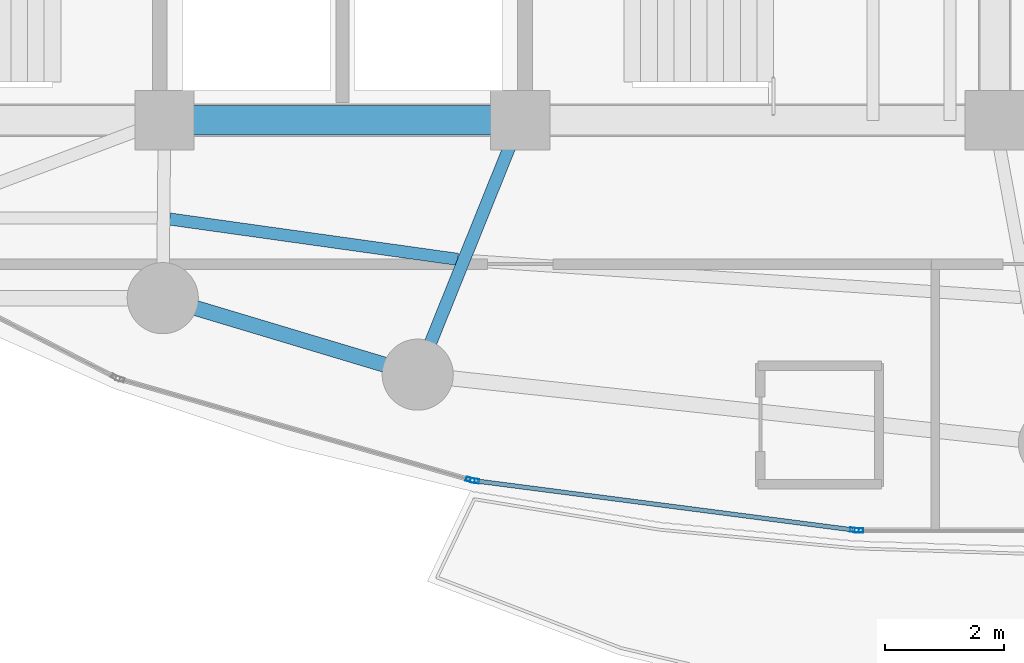
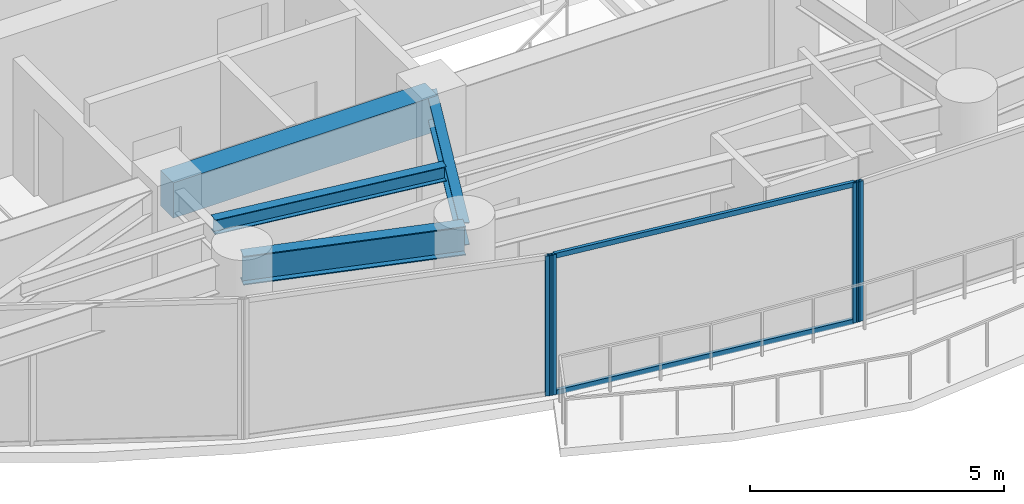
# One storey, part 5 of 31: 6 members, 4 beams, 3 elements without a shape of their own.
"""IFC4 building model written with IfcOpenShell, lengths in metres."""

from ifc_helpers import new_model, si_unit, direction, frame, origin, origin_2d, place, context, subcontext, project, spatial, rectangle, hollow_rectangle, i_section, extrude, material, layer, layer_set, material_profile, profile_set, type_object, element, aggregate, save


model = new_model("IFC4")

# Units and contexts
model_context = context("Model", 3, precision=1e-05, world=origin(), true_north=direction((0.0, 1.0)))
body_context = subcontext(model_context, "Body", "Model", "MODEL_VIEW")
ifc_project = project(units=[si_unit("LENGTHUNIT", "METRE"), si_unit("AREAUNIT", "SQUARE_METRE"), si_unit("VOLUMEUNIT", "CUBIC_METRE"), si_unit("PLANEANGLEUNIT", "RADIAN"), si_unit("MASSUNIT", "GRAM", prefix="KILO")], contexts=[model_context])

# Site, building, storey
site_placement = place(None, origin())
site = spatial("IfcSite", under=ifc_project, at=site_placement, CompositionType="ELEMENT")
building_placement = place(site_placement, origin())
building = spatial("IfcBuilding", under=site, at=building_placement, Name="Kazevale Care Tower and Concert Hall", CompositionType="ELEMENT")
storey_placement = place(building_placement, frame((0.0, 0.0, 117.0)))
storey = spatial("IfcBuildingStorey", under=building, at=storey_placement, Name="L30", CompositionType="ELEMENT", Elevation=117.0)

# Curtain wall, member
ifc_material_1 = material(Name="Aluminium 6063-T6 and Low-E Glass", Category="aluminium")
ifc_layer = layer(ifc_material_1, 0.179931640625)
ifc_layer_set = layer_set([ifc_layer], Name="Aluminium 6063-T6 and Low-E Glass")
curtain_wall_type = type_object("IfcCurtainWallType", Name="Sheltered Concave Balcony Curtain Wall CW-5", PredefinedType="NOTDEFINED", material=ifc_layer_set)
curtain_wall_1_placement = place(storey_placement, origin())
curtain_wall_1 = element("IfcCurtainWall", 1, at=curtain_wall_1_placement, inside=storey, type_object=curtain_wall_type, Name="cw:L30:f06", PredefinedType="NOTDEFINED")
ifc_material_2 = material(Name="Aluminium 6063-T6", Category="aluminium")
ifc_material_profile_1 = material_profile(ifc_material_2, hollow_rectangle(XDim=0.074951171875, YDim=0.14990234375, WallThickness=0.00390625, at=origin_2d()), Name="ALU75x150x4")
ifc_profile_set_1 = profile_set([ifc_material_profile_1], Name="Aluminium 6063-T6")
member_type_1 = type_object("IfcMemberType", Name="CW-5 Mullion ALU75x150x4", PredefinedType="MULLION", material=ifc_profile_set_1)
member_1_placement = place(storey_placement, frame((41.71240234375, 16.68408203125, 0.0), z_axis=(0.0, 0.0, 1.0), x_axis=(0.0, -1.0, 0.0)))
member_1 = element("IfcMember", 2, at=member_1_placement, type_object=member_type_1, Name="CW-5 mullion 2", PredefinedType="MULLION", context=body_context, shape_type="SweptSolid", body=[
    extrude(hollow_rectangle(XDim=0.074951171875, YDim=0.14990234375, WallThickness=0.00390625, at=origin_2d()), origin(), (0.0, 0.0, 1.0), 3.360107421875),
])
aggregate(curtain_wall_1, [member_1])

# Curtain wall, members
curtain_wall_2_placement = place(storey_placement, origin())
curtain_wall_2 = element("IfcCurtainWall", 3, at=curtain_wall_2_placement, inside=storey, type_object=curtain_wall_type, Name="cw:L30:f07", PredefinedType="NOTDEFINED")
member_2_placement = place(storey_placement, frame((41.6376953125, 16.688720703125, 0.0), z_axis=(0.0, 0.0, 1.0), x_axis=(-0.12868500567, -0.991685519364, 0.0)))
member_2 = element("IfcMember", 4, at=member_2_placement, type_object=member_type_1, Name="CW-5 mullion 1", PredefinedType="MULLION", context=body_context, shape_type="SweptSolid", body=[
    extrude(hollow_rectangle(XDim=0.074951171875, YDim=0.14990234375, WallThickness=0.00390625, at=origin_2d()), origin(), (0.0, 0.0, 1.0), 3.360107421875),
])
member_3_placement = place(storey_placement, frame((35.231201171875, 17.520263671875, 0.0), z_axis=(0.0, 0.0, 1.0), x_axis=(-0.12868500567, -0.991685519364, 0.0)))
member_3 = element("IfcMember", 5, at=member_3_placement, type_object=member_type_1, Name="CW-5 mullion 2", PredefinedType="MULLION", context=body_context, shape_type="SweptSolid", body=[
    extrude(hollow_rectangle(XDim=0.074951171875, YDim=0.14990234375, WallThickness=0.00390625, at=origin_2d()), origin(), (0.0, 0.0, 1.0), 3.360107421875),
])

# Curtain wall, member
curtain_wall_3_placement = place(storey_placement, origin())
curtain_wall_3 = element("IfcCurtainWall", 6, at=curtain_wall_3_placement, inside=storey, type_object=curtain_wall_type, Name="cw:L30:f08", PredefinedType="NOTDEFINED")
member_4_placement = place(storey_placement, frame((35.157958984375, 17.535400390625, 0.0), z_axis=(0.0, 0.0, 1.0), x_axis=(-0.276290733172, -0.961074102639, 0.0)))
member_4 = element("IfcMember", 7, at=member_4_placement, type_object=member_type_1, Name="CW-5 mullion 1", PredefinedType="MULLION", context=body_context, shape_type="SweptSolid", body=[
    extrude(hollow_rectangle(XDim=0.074951171875, YDim=0.14990234375, WallThickness=0.00390625, at=origin_2d()), origin(), (0.0, 0.0, 1.0), 3.360107421875),
])
aggregate(curtain_wall_3, [member_4])

# Member
ifc_material_profile_2 = material_profile(ifc_material_2, hollow_rectangle(XDim=0.074951171875, YDim=0.1201171875, WallThickness=0.00390625, at=origin_2d()), Name="ALU75x120x4")
ifc_profile_set_2 = profile_set([ifc_material_profile_2], Name="Aluminium 6063-T6")
member_type_2 = type_object("IfcMemberType", Name="CW-5 Transom ALU75x120x4", PredefinedType="USERDEFINED", material=ifc_profile_set_2)
member_5_placement = place(storey_placement, frame((41.6005859375, 16.693603515625, 0.03759765625), z_axis=(-0.991683991743, 0.12869677743, 0.0), x_axis=(-0.12869677743, -0.991683991743, 0.0)))
member_5 = element("IfcMember", 8, at=member_5_placement, type_object=member_type_2, Name="CW-5 transom 1.1", ObjectType="TRANSOM", PredefinedType="USERDEFINED", context=body_context, shape_type="SweptSolid", body=[
    extrude(hollow_rectangle(XDim=0.074951171875, YDim=0.1201171875, WallThickness=0.00390625, at=origin_2d()), origin(), (0.0, 0.0, 1.0), 6.385498046875),
])

member_6_placement = place(storey_placement, frame((41.6005859375, 16.693603515625, 3.322509765625), z_axis=(-0.991683991743, 0.12869677743, 0.0), x_axis=(-0.12869677743, -0.991683991743, 0.0)))
member_6 = element("IfcMember", 9, at=member_6_placement, type_object=member_type_2, Name="CW-5 transom 1.2", ObjectType="TRANSOM", PredefinedType="USERDEFINED", context=body_context, shape_type="SweptSolid", body=[
    extrude(hollow_rectangle(XDim=0.074951171875, YDim=0.1201171875, WallThickness=0.00390625, at=origin_2d()), origin(), (0.0, 0.0, 1.0), 6.385498046875),
])

aggregate(curtain_wall_2, [member_2, member_3, member_5, member_6])

# Beams
ifc_material_3 = material(Name="Concrete C60", Category="concrete")
ifc_material_profile_3 = material_profile(ifc_material_3, rectangle(XDim=0.5, YDim=0.85009765625, at=origin_2d()), Name="RC-B500x850")
ifc_profile_set_3 = profile_set([ifc_material_profile_3], Name="Concrete C60")
beam_type_1 = type_object("IfcBeamType", Name="Core Coupling Beam RC500x850", PredefinedType="LINTEL", material=ifc_profile_set_3)
beam_1_placement = place(storey_placement, frame((30.0, 23.60009765625, 2.93505859375), z_axis=(1.0, 0.0, 0.0), x_axis=(0.0, 1.0, 0.0)))
element("IfcBeam", 10, at=beam_1_placement, inside=storey, type_object=beam_type_1, Name="beam:L30:coretie:2", PredefinedType="LINTEL", context=body_context, shape_type="SweptSolid", body=[
    extrude(rectangle(XDim=0.5, YDim=0.85009765625, at=origin_2d()), origin(), (0.0, 0.0, 1.0), 6.0),
])
ifc_material_4 = material(Name="Steel ASTM A572 Gr 50", Category="steel")
ifc_material_profile_4 = material_profile(ifc_material_4, i_section(OverallWidth=0.2119140625, OverallDepth=0.5439453125, WebThickness=0.01318359375, FlangeThickness=0.021240234375, at=origin_2d()), Name="W530x123")
ifc_profile_set_4 = profile_set([ifc_material_profile_4], Name="Steel ASTM A572 Gr 50")
beam_type_2 = type_object("IfcBeamType", Name="Radial Floor Girder W530x123", PredefinedType="BEAM", material=ifc_profile_set_4)
beam_2_placement = place(storey_placement, frame((36.0, 23.60009765625, 3.087890625), z_axis=(-0.373991766452, -0.927432023722, 0.0), x_axis=(0.927432023722, -0.373991766452, 0.0)))
element("IfcBeam", 11, at=beam_2_placement, inside=storey, type_object=beam_type_2, Name="beam:L30:rad:12", PredefinedType="BEAM", context=body_context, shape_type="SweptSolid", body=[
    extrude(i_section(OverallWidth=0.2119140625, OverallDepth=0.5439453125, WebThickness=0.01318359375, FlangeThickness=0.021240234375, at=origin_2d()), origin(), (0.0, 0.0, 1.0), 4.625732421875),
])
ifc_material_profile_5 = material_profile(ifc_material_4, i_section(OverallWidth=0.205078125, OverallDepth=0.35400390625, WebThickness=0.009521484375, FlangeThickness=0.016845703125, at=origin_2d()), Name="W360x79")
ifc_profile_set_5 = profile_set([ifc_material_profile_5], Name="Steel ASTM A572 Gr 50")
beam_type_3 = type_object("IfcBeamType", Name="Secondary Floor Joist W360x79", PredefinedType="JOIST", material=ifc_profile_set_5)
beam_3_placement = place(storey_placement, frame((30.0869140625, 21.93505859375, 3.18310546875), z_axis=(0.990340789942, -0.138654678164, 0.0), x_axis=(0.138654678164, 0.990340789942, 0.0)))
element("IfcBeam", 12, at=beam_3_placement, inside=storey, type_object=beam_type_3, Name="beam:L30:joist:11", PredefinedType="JOIST", context=body_context, shape_type="SweptSolid", body=[
    extrude(i_section(OverallWidth=0.205078125, OverallDepth=0.35400390625, WebThickness=0.009521484375, FlangeThickness=0.016845703125, at=origin_2d()), origin(), (0.0, 0.0, 1.0), 4.905517578125),
])
ifc_material_profile_6 = material_profile(ifc_material_4, i_section(OverallWidth=0.256103515625, OverallDepth=0.693115234375, WebThickness=0.014404296875, FlangeThickness=0.023681640625, at=origin_2d()), Name="W690x170")
ifc_profile_set_6 = profile_set([ifc_material_profile_6], Name="Steel ASTM A572 Gr 50")
beam_type_4 = type_object("IfcBeamType", Name="Waist Ring Beam W690x170", PredefinedType="BEAM", material=ifc_profile_set_6)
beam_4_placement = place(storey_placement, frame((29.969970703125, 20.60009765625, 3.013427734375), z_axis=(0.957824788464, -0.287352874709, 0.0), x_axis=(0.287352874709, 0.957824788464, 0.0)))
element("IfcBeam", 13, at=beam_4_placement, inside=storey, type_object=beam_type_4, Name="beam:L30:ring:11", PredefinedType="BEAM", context=body_context, shape_type="SweptSolid", body=[
    extrude(i_section(OverallWidth=0.256103515625, OverallDepth=0.693115234375, WebThickness=0.014404296875, FlangeThickness=0.023681640625, at=origin_2d()), origin(), (0.0, 0.0, 1.0), 4.489501953125),
])

save(model, "model.ifc")
